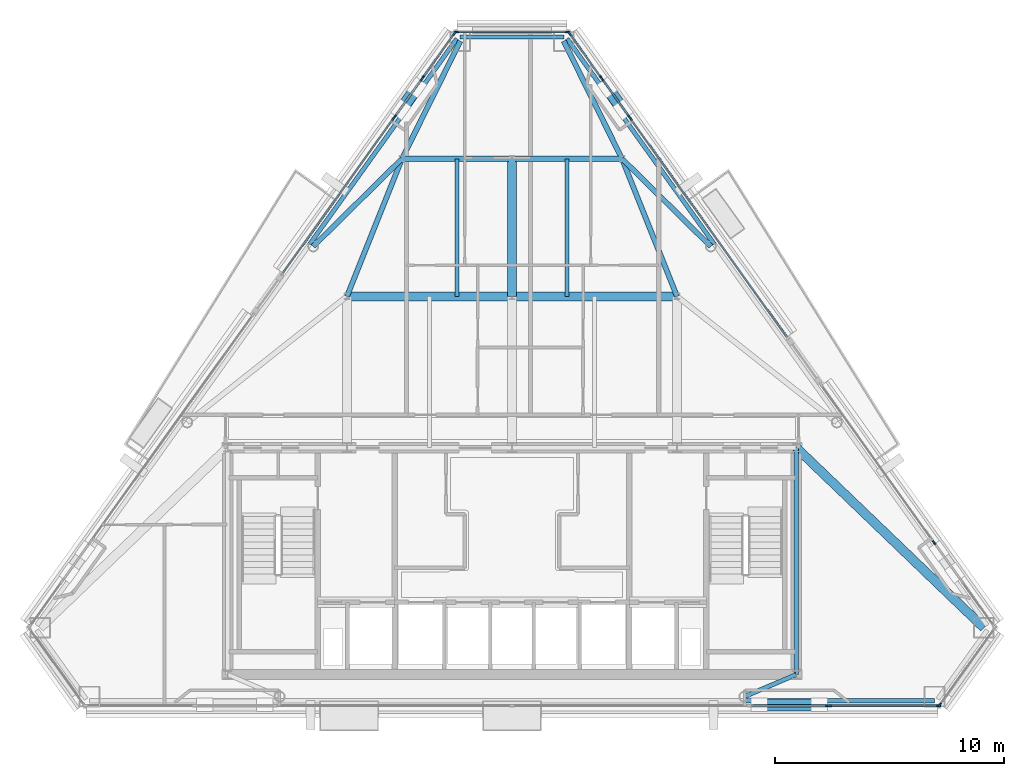
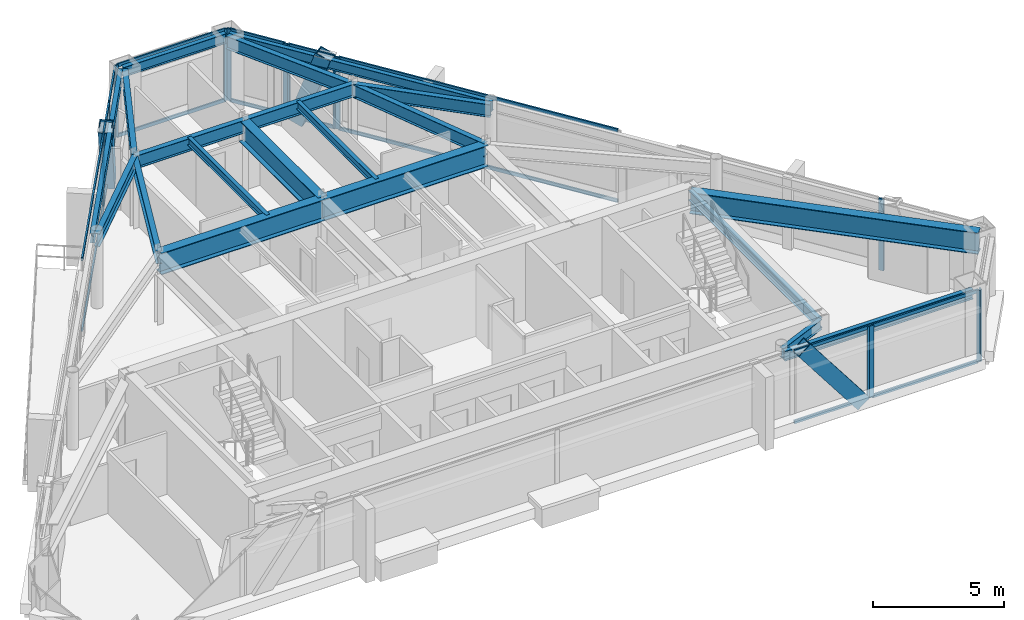
# One storey, part 5 of 12: 38 members, 20 beams, 11 elements without a shape of their own.
"""IFC4 building model written with IfcOpenShell, lengths in metres."""

import ifcopenshell
import ifcopenshell.guid

model = None  # the IFC model being written
_history = None  # IfcOwnerHistory: only IFC2X3 demands one
_inside = {}  # id of a spatial element -> (the spatial element, [elements in it])
_under = {}  # id of a project, library or spatial element -> (it, [spatial elements below it])
_declared = {}  # id of a project -> (the project, [libraries it declares])
_typed = {}  # id of a type object -> (the type object, [elements of that type])
_made_of = {}  # id of a material, layer set ... -> (it, [elements and type objects made of it])


def new_model(schema):
    """Start an empty IFC model of exactly this schema.

    Asked for "IFC4X3", IfcOpenShell would pick the latest addendum, in which some entities
    have other attributes; the version numbers below select the first issue.
    IFC2X3 requires an IfcOwnerHistory on every rooted entity: one is made here for all.
    """
    global model, _history
    if schema == "IFC4X3":
        model = ifcopenshell.file(schema_version=(4, 3, 0, 0))
    else:
        model = ifcopenshell.file(schema=schema)
    _inside.clear()
    _under.clear()
    _declared.clear()
    _typed.clear()
    _made_of.clear()
    _history = None
    if model.schema == "IFC2X3":
        org = make("IfcOrganization", Name="unknown")
        user = make(
            "IfcPersonAndOrganization",
            ThePerson=make("IfcPerson", FamilyName="unknown"),
            TheOrganization=org,
        )
        app = make(
            "IfcApplication",
            ApplicationDeveloper=org,
            Version="unknown",
            ApplicationFullName="unknown",
            ApplicationIdentifier="unknown",
        )
        _history = make(
            "IfcOwnerHistory",
            OwningUser=user,
            OwningApplication=app,
            ChangeAction="ADDED",
            CreationDate=0,
        )
    return model


def make(cls, **values):
    """One entity of the class cls with the attributes given. An attribute that is None is left unset."""
    return model.create_entity(
        cls, **{name: value for name, value in values.items() if value is not None}
    )


def rooted(cls, **values):
    """An entity with a GlobalId (a new one), such as an element, a storey or a relation."""
    return make(cls, GlobalId=ifcopenshell.guid.new(), OwnerHistory=_history, **values)


def si_unit(unit_type, name, prefix=None):
    """IfcSIUnit, for example si_unit("LENGTHUNIT", "METRE", prefix="MILLI")."""
    return make("IfcSIUnit", UnitType=unit_type, Prefix=prefix, Name=name)


def assignment(units):
    """IfcUnitAssignment: the units of a project."""
    return None if units is None else make("IfcUnitAssignment", Units=units)


def point(xyz):
    """IfcCartesianPoint."""
    return None if xyz is None else make("IfcCartesianPoint", Coordinates=xyz)


def direction(xyz):
    """IfcDirection."""
    return None if xyz is None else make("IfcDirection", DirectionRatios=xyz)


def frame(location, z_axis=None, x_axis=None):
    """IfcAxis2Placement3D, a coordinate frame: its origin and axes. An axis left out is left unset."""
    return make(
        "IfcAxis2Placement3D",
        Location=point(location),
        Axis=direction(z_axis),
        RefDirection=direction(x_axis),
    )


def frame_2d(location, x_axis=None):
    """IfcAxis2Placement2D, a coordinate frame in the plane: its origin and x axis."""
    return make(
        "IfcAxis2Placement2D", Location=point(location), RefDirection=direction(x_axis)
    )


def origin():
    """The frame at (0, 0, 0) with its axes left unset."""
    return frame((0.0, 0.0, 0.0))


def origin_2d():
    """The frame at (0, 0) in the plane with its x axis left unset."""
    return frame_2d((0.0, 0.0))


def place(relative_to, where):
    """IfcLocalPlacement: puts the frame where relative to a parent placement (None: the world)."""
    return make(
        "IfcLocalPlacement", PlacementRelTo=relative_to, RelativePlacement=where
    )


def context(
    kind, dimensions, precision=None, world=None, true_north=None, identifier=None
):
    """IfcGeometricRepresentationContext, for example the 3D "Model" context."""
    return make(
        "IfcGeometricRepresentationContext",
        ContextIdentifier=identifier,
        ContextType=kind,
        CoordinateSpaceDimension=dimensions,
        Precision=precision,
        WorldCoordinateSystem=world,
        TrueNorth=true_north,
    )


def subcontext(parent, identifier, kind, view, scale=None):
    """IfcGeometricRepresentationSubContext, for example "Body" below "Model"."""
    return make(
        "IfcGeometricRepresentationSubContext",
        ContextIdentifier=identifier,
        ContextType=kind,
        ParentContext=parent,
        TargetScale=scale,
        TargetView=view,
    )


def project(units=None, contexts=None):
    """IfcProject with its units and contexts."""
    return rooted(
        "IfcProject",
        Name="project",
        RepresentationContexts=contexts,
        UnitsInContext=assignment(units),
    )


def spatial(cls, under=None, at=None, **own):
    """A site, building, storey or space (cls), placed at a placement, below another one or the project."""
    s = rooted(cls, ObjectPlacement=at, **own)
    if under is not None:
        _under.setdefault(under.id(), (under, []))[1].append(s)
    return s


def profile(cls, at=None, kind="AREA", **sizes):
    """A parametric profile (cls). Its sizes go by their IFC names, for example OverallWidth=200.0."""
    return make(cls, ProfileType=kind, Position=at, **sizes)


def rectangle(**sizes):
    """IfcRectangleProfileDef."""
    return profile("IfcRectangleProfileDef", **sizes)


def hollow_rectangle(**sizes):
    """IfcRectangleHollowProfileDef."""
    return profile("IfcRectangleHollowProfileDef", **sizes)


def i_section(**sizes):
    """IfcIShapeProfileDef."""
    return profile("IfcIShapeProfileDef", **sizes)


def extrude(swept, where, along, depth):
    """IfcExtrudedAreaSolid: the profile swept, set in the frame where, extruded along a direction by depth."""
    return make(
        "IfcExtrudedAreaSolid",
        SweptArea=swept,
        Position=where,
        ExtrudedDirection=direction(along),
        Depth=depth,
    )


def shape(context_of_items, identifier, shape_type, items):
    """IfcShapeRepresentation: the items that make up one representation, for example the "Body"."""
    return make(
        "IfcShapeRepresentation",
        ContextOfItems=context_of_items,
        RepresentationIdentifier=identifier,
        RepresentationType=shape_type,
        Items=items,
    )


def material(Name=None, Category=None):
    """IfcMaterial."""
    return make("IfcMaterial", Name=Name, Category=Category)


def layer(
    of_material, thickness, ventilated=None, Name=None, Category=None, Priority=None
):
    """IfcMaterialLayer: one layer of a wall or slab, of a material (None: an air gap)."""
    return make(
        "IfcMaterialLayer",
        Material=of_material,
        LayerThickness=thickness,
        IsVentilated=ventilated,
        Name=Name,
        Category=Category,
        Priority=Priority,
    )


def layer_set(layers, Name=None):
    """IfcMaterialLayerSet."""
    return make("IfcMaterialLayerSet", MaterialLayers=layers, LayerSetName=Name)


def material_profile(
    of_material, cross_section, Name=None, Category=None, Priority=None
):
    """IfcMaterialProfile: a cross section and its material."""
    return make(
        "IfcMaterialProfile",
        Name=Name,
        Material=of_material,
        Profile=cross_section,
        Priority=Priority,
        Category=Category,
    )


def profile_set(profiles, Name=None, composite=None):
    """IfcMaterialProfileSet."""
    return make(
        "IfcMaterialProfileSet",
        Name=Name,
        MaterialProfiles=profiles,
        CompositeProfile=composite,
    )


def made_of(thing, what):
    """Note that an element or type object is made of a material, layer set ...; save() writes the relation."""
    if what is not None:
        _made_of.setdefault(what.id(), (what, []))[1].append(thing)
    return thing


def type_object(cls, material=None, **own):
    """A type object (cls), such as IfcWallType, which elements share."""
    return made_of(rooted(cls, **own), material)


def element(
    cls,
    number,
    at=None,
    inside=None,
    cuts=None,
    type_object=None,
    material=None,
    context=None,
    identifier="Body",
    shape_type=None,
    held_by="IfcProductDefinitionShape",
    body=None,
    shapes=None,
    **own,
):
    """One element of the class cls, such as IfcWall. Its Tag is "e" and its number.

    at: its placement. inside: the storey or other place that contains it. cuts: it is an
    opening in that element (IfcRelVoidsElement). A single representation is given by context,
    identifier, shape_type and body (its items); several are given by shapes. held_by: the class
    of the entity that holds the representations. save() writes the other relations.
    """
    e = rooted(cls, Tag="e%d" % number, ObjectPlacement=at, **own)
    if body is not None:
        shapes = [shape(context, identifier, shape_type, body)]
    if shapes is not None:
        e.Representation = make(held_by, Representations=shapes)
    if inside is not None:
        _inside.setdefault(inside.id(), (inside, []))[1].append(e)
    if cuts is not None:
        rooted(
            "IfcRelVoidsElement", RelatingBuildingElement=cuts, RelatedOpeningElement=e
        )
    if type_object is not None:
        _typed.setdefault(type_object.id(), (type_object, []))[1].append(e)
    return made_of(e, material)


def aggregate(whole, parts):
    """IfcRelAggregates: a whole, such as a stair, and the parts it consists of."""
    return rooted("IfcRelAggregates", RelatingObject=whole, RelatedObjects=parts)


def save(model, path):
    """Write the relations noted so far, then the file.

    IfcRelAggregates (storeys below a building ...), IfcRelContainedInSpatialStructure (elements
    in a storey), IfcRelDefinesByType, IfcRelAssociatesMaterial and IfcRelDeclares: one each for
    every whole, place, type object, material and project.
    """
    for whole, parts in _under.values():
        aggregate(whole, parts)
    for where, things in _inside.values():
        rooted(
            "IfcRelContainedInSpatialStructure",
            RelatedElements=things,
            RelatingStructure=where,
        )
    for kind, things in _typed.values():
        rooted("IfcRelDefinesByType", RelatedObjects=things, RelatingType=kind)
    for what, things in _made_of.values():
        rooted("IfcRelAssociatesMaterial", RelatedObjects=things, RelatingMaterial=what)
    for by, libraries in _declared.values():
        rooted("IfcRelDeclares", RelatingContext=by, RelatedDefinitions=libraries)
    model.write(path)


model = new_model("IFC4")

# Units and contexts
model_context = context("Model", 3, precision=1e-05, world=origin(), true_north=direction((0.0, 1.0)))
body_context = subcontext(model_context, "Body", "Model", "MODEL_VIEW")
ifc_project = project(units=[si_unit("LENGTHUNIT", "METRE"), si_unit("AREAUNIT", "SQUARE_METRE"), si_unit("VOLUMEUNIT", "CUBIC_METRE"), si_unit("PLANEANGLEUNIT", "RADIAN"), si_unit("MASSUNIT", "GRAM", prefix="KILO")], contexts=[model_context])

# Site, building, storey
site_placement = place(None, origin())
site = spatial("IfcSite", under=ifc_project, at=site_placement, CompositionType="ELEMENT")
building_placement = place(site_placement, origin())
building = spatial("IfcBuilding", under=site, at=building_placement, Name="Talgorran Terracotta Tower", CompositionType="ELEMENT")
storey_placement = place(building_placement, frame((0.0, 0.0, 249.0)))
storey = spatial("IfcBuildingStorey", under=building, at=storey_placement, Name="L65", CompositionType="ELEMENT", Elevation=249.0)

# Beams
ifc_material_1 = material(Name="Steel Grade 350 (350L0)", Category="steel")
ifc_material_profile_1 = material_profile(ifc_material_1, i_section(OverallWidth=0.39990234375, OverallDepth=1.0, WebThickness=0.01611328125, FlangeThickness=0.031005859375, at=origin_2d()), Name="1000WB296")
ifc_profile_set_1 = profile_set([ifc_material_profile_1], Name="Steel Grade 350 (350L0)")
beam_type_1 = type_object("IfcBeamType", Name="BM_1000WB296", PredefinedType="BEAM", material=ifc_profile_set_1)
for number, where, z_axis, x_axis, name in (
    (1, (-7.199951171875, 2.39990234375, 2.844970703125), (1.0, 0.0, 0.0), (0.0, 1.0, 0.0), "L65 Floor Girder G04"),
    (2, (0.0, 2.39990234375, 2.844970703125), (1.0, 0.0, 0.0), (0.0, 1.0, 0.0), "L65 Floor Girder G05"),
):
    element("IfcBeam", number, at=place(storey_placement, frame(where, z_axis=z_axis, x_axis=x_axis)), inside=storey, type_object=beam_type_1, Name=name, PredefinedType="BEAM", context=body_context, shape_type="SweptSolid", body=[
        extrude(i_section(OverallWidth=0.39990234375, OverallDepth=1.0, WebThickness=0.01611328125, FlangeThickness=0.031005859375, at=origin_2d()), origin(), (0.0, 0.0, 1.0), 7.199951171875),
    ])
beam_1_placement = place(storey_placement, frame((0.0, 2.39990234375, 2.844970703125), z_axis=(0.0, 1.0, 0.0), x_axis=(-1.0, 0.0, 0.0)))
element("IfcBeam", 3, at=beam_1_placement, inside=storey, type_object=beam_type_1, Name="L65 Floor Girder G09", PredefinedType="BEAM", context=body_context, shape_type="SweptSolid", body=[
    extrude(i_section(OverallWidth=0.39990234375, OverallDepth=1.0, WebThickness=0.01611328125, FlangeThickness=0.031005859375, at=origin_2d()), origin(), (0.0, 0.0, 1.0), 6.0),
])
beam_2_placement = place(storey_placement, frame((12.39990234375, -4.199951171875, 2.844970703125), z_axis=(0.721440209588, -0.692476731731, 0.0), x_axis=(0.692476731731, 0.721440209588, 0.0)))
element("IfcBeam", 4, at=beam_2_placement, inside=storey, type_object=beam_type_1, Name="L65 Floor Girder G18", PredefinedType="BEAM", context=body_context, shape_type="SweptSolid", body=[
    extrude(i_section(OverallWidth=0.39990234375, OverallDepth=1.0, WebThickness=0.01611328125, FlangeThickness=0.031005859375, at=origin_2d()), origin(), (0.0, 0.0, 1.0), 11.345703125),
])
ifc_material_2 = material(Name="Steel S355 (300PLUS)", Category="steel")
ifc_material_profile_2 = material_profile(ifc_material_2, i_section(OverallWidth=0.22802734375, OverallDepth=0.60205078125, WebThickness=0.010498046875, FlangeThickness=0.014892578125, at=origin_2d()), Name="610UB101")
ifc_profile_set_2 = profile_set([ifc_material_profile_2], Name="Steel S355 (300PLUS)")
beam_type_2 = type_object("IfcBeamType", Name="BM_610UB101", PredefinedType="BEAM", material=ifc_profile_set_2)
for number, where, z_axis, x_axis, name in (
    (5, (-7.199951171875, 2.39990234375, 3.0439453125), (0.371377648723, 0.928481901832, 0.0), (-0.928481901832, 0.371377648723, 0.0), "L65 Floor Girder G08"),
    (6, (7.199951171875, 2.39990234375, 3.0439453125), (-0.371377648723, 0.928481901832, 0.0), (-0.928481901832, -0.371377648723, 0.0), "L65 Floor Girder G10"),
):
    element("IfcBeam", number, at=place(storey_placement, frame(where, z_axis=z_axis, x_axis=x_axis)), inside=storey, type_object=beam_type_2, Name=name, PredefinedType="BEAM", context=body_context, shape_type="SweptSolid", body=[
        extrude(i_section(OverallWidth=0.22802734375, OverallDepth=0.60205078125, WebThickness=0.010498046875, FlangeThickness=0.014892578125, at=origin_2d()), origin(), (0.0, 0.0, 1.0), 6.462158203125),
    ])
for number, where, z_axis, x_axis, name in (
    (7, (-4.800048828125, 8.39990234375, 3.0439453125), (1.0, 0.0, 0.0), (0.0, 1.0, 0.0), "L65 Floor Girder G11"),
    (8, (0.0, 8.39990234375, 3.0439453125), (1.0, 0.0, 0.0), (0.0, 1.0, 0.0), "L65 Floor Girder G12"),
):
    element("IfcBeam", number, at=place(storey_placement, frame(where, z_axis=z_axis, x_axis=x_axis)), inside=storey, type_object=beam_type_2, Name=name, PredefinedType="BEAM", context=body_context, shape_type="SweptSolid", body=[
        extrude(i_section(OverallWidth=0.22802734375, OverallDepth=0.60205078125, WebThickness=0.010498046875, FlangeThickness=0.014892578125, at=origin_2d()), origin(), (0.0, 0.0, 1.0), 4.800048828125),
    ])
for number, where, z_axis, x_axis, name in (
    (9, (-4.800048828125, 8.39990234375, 3.0439453125), (-0.711847800696, -0.702333758725, 0.0), (0.702333758725, -0.711847800696, 0.0), "L65 Floor Girder G13"),
    (10, (4.800048828125, 8.39990234375, 3.0439453125), (0.711847800696, -0.702333758725, 0.0), (0.702333758725, 0.711847800696, 0.0), "L65 Floor Girder G14"),
):
    element("IfcBeam", number, at=place(storey_placement, frame(where, z_axis=z_axis, x_axis=x_axis)), inside=storey, type_object=beam_type_2, Name=name, PredefinedType="BEAM", context=body_context, shape_type="SweptSolid", body=[
        extrude(i_section(OverallWidth=0.22802734375, OverallDepth=0.60205078125, WebThickness=0.010498046875, FlangeThickness=0.014892578125, at=origin_2d()), origin(), (0.0, 0.0, 1.0), 5.440185546875),
    ])
for number, where, z_axis, x_axis, name in (
    (11, (-4.800048828125, 8.39990234375, 3.0439453125), (0.443529350633, 0.896259847994, 0.0), (-0.896259847994, 0.443529350633, 0.0), "L65 Floor Girder G15"),
    (12, (4.800048828125, 8.39990234375, 3.0439453125), (-0.443529350633, 0.896259847994, 0.0), (-0.896259847994, -0.443529350633, 0.0), "L65 Floor Girder G16"),
):
    element("IfcBeam", number, at=place(storey_placement, frame(where, z_axis=z_axis, x_axis=x_axis)), inside=storey, type_object=beam_type_2, Name=name, PredefinedType="BEAM", context=body_context, shape_type="SweptSolid", body=[
        extrude(i_section(OverallWidth=0.22802734375, OverallDepth=0.60205078125, WebThickness=0.010498046875, FlangeThickness=0.014892578125, at=origin_2d()), origin(), (0.0, 0.0, 1.0), 5.731201171875),
    ])
ifc_material_profile_3 = material_profile(ifc_material_2, i_section(OverallWidth=0.17138671875, OverallDepth=0.355712890625, WebThickness=0.00732421875, FlangeThickness=0.011474609375, at=origin_2d()), Name="360UB50.7")
ifc_profile_set_3 = profile_set([ifc_material_profile_3], Name="Steel S355 (300PLUS)")
beam_type_3 = type_object("IfcBeamType", Name="BM_JS_360UB51", PredefinedType="JOIST", material=ifc_profile_set_3)
for number, where, z_axis, x_axis, name in (
    (13, (-2.39990234375, 2.39990234375, 3.167236328125), (0.0, 1.0, 0.0), (-1.0, 0.0, 0.0), "L65 Secondary Joist J03"),
    (14, (2.39990234375, 2.39990234375, 3.167236328125), (0.0, 1.0, 0.0), (-1.0, 0.0, 0.0), "L65 Secondary Joist J04"),
):
    element("IfcBeam", number, at=place(storey_placement, frame(where, z_axis=z_axis, x_axis=x_axis)), inside=storey, type_object=beam_type_3, Name=name, PredefinedType="JOIST", context=body_context, shape_type="SweptSolid", body=[
        extrude(i_section(OverallWidth=0.17138671875, OverallDepth=0.355712890625, WebThickness=0.00732421875, FlangeThickness=0.011474609375, at=origin_2d()), origin(), (0.0, 0.0, 1.0), 6.0),
    ])
ifc_material_profile_4 = material_profile(ifc_material_2, i_section(OverallWidth=0.18994140625, OverallDepth=0.45703125, WebThickness=0.009033203125, FlangeThickness=0.014404296875, at=origin_2d()), Name="460UB74.6")
ifc_profile_set_4 = profile_set([ifc_material_profile_4], Name="Steel S355 (300PLUS)")
beam_type_4 = type_object("IfcBeamType", Name="BM_SP_460UB74", PredefinedType="SPANDREL", material=ifc_profile_set_4)
beam_3_placement = place(storey_placement, frame((10.1376953125, -15.243408203125, 3.116455078125), z_axis=(1.0, 0.0, 0.0), x_axis=(0.0, 1.0, 0.0)))
element("IfcBeam", 15, at=beam_3_placement, inside=storey, type_object=beam_type_4, Name="L65 Perimeter Spandrel Beam FC2-MC3", PredefinedType="SPANDREL", context=body_context, shape_type="SweptSolid", body=[
    extrude(i_section(OverallWidth=0.18994140625, OverallDepth=0.45703125, WebThickness=0.009033203125, FlangeThickness=0.014404296875, at=origin_2d()), origin(), (0.0, 0.0, 1.0), 8.29443359375),
])
beam_4_placement = place(storey_placement, frame((8.81884765625, 4.683837890625, 3.116455078125), z_axis=(-0.58220828918, 0.813039671855, 0.0), x_axis=(-0.813039671855, -0.58220828918, 0.0)))
element("IfcBeam", 16, at=beam_4_placement, inside=storey, type_object=beam_type_4, Name="L65 Perimeter Spandrel Beam FC4-MC5", PredefinedType="SPANDREL", context=body_context, shape_type="SweptSolid", body=[
    extrude(i_section(OverallWidth=0.18994140625, OverallDepth=0.45703125, WebThickness=0.009033203125, FlangeThickness=0.014404296875, at=origin_2d()), origin(), (0.0, 0.0, 1.0), 11.017578125),
])
beam_5_placement = place(storey_placement, frame((2.258056640625, 13.716796875, 3.116455078125), z_axis=(-1.0, 0.0, 0.0), x_axis=(0.0, -1.0, 0.0)))
element("IfcBeam", 17, at=beam_5_placement, inside=storey, type_object=beam_type_4, Name="L65 Perimeter Spandrel Beam MC5-MC6", PredefinedType="SPANDREL", context=body_context, shape_type="SweptSolid", body=[
    extrude(i_section(OverallWidth=0.18994140625, OverallDepth=0.45703125, WebThickness=0.009033203125, FlangeThickness=0.014404296875, at=origin_2d()), origin(), (0.0, 0.0, 1.0), 4.51611328125),
])
beam_6_placement = place(storey_placement, frame((-2.404296875, 13.6416015625, 3.116455078125), z_axis=(-0.58220828918, -0.813039671855, 0.0), x_axis=(0.813039671855, -0.58220828918, 0.0)))
element("IfcBeam", 18, at=beam_6_placement, inside=storey, type_object=beam_type_4, Name="L65 Perimeter Spandrel Beam MC6-FC5", PredefinedType="SPANDREL", context=body_context, shape_type="SweptSolid", body=[
    extrude(i_section(OverallWidth=0.18994140625, OverallDepth=0.45703125, WebThickness=0.009033203125, FlangeThickness=0.014404296875, at=origin_2d()), origin(), (0.0, 0.0, 1.0), 11.017578125),
])
beam_7_placement = place(storey_placement, frame((12.39990234375, -14.10009765625, 3.116455078125), z_axis=(-0.920082307349, -0.391725092002, 0.0), x_axis=(0.391725092002, -0.920082307349, 0.0)))
element("IfcBeam", 19, at=beam_7_placement, inside=storey, type_object=beam_type_4, Name="L65 South-East Core Tie Beam", PredefinedType="SPANDREL", context=body_context, shape_type="SweptSolid", body=[
    extrude(i_section(OverallWidth=0.18994140625, OverallDepth=0.45703125, WebThickness=0.009033203125, FlangeThickness=0.014404296875, at=origin_2d()), origin(), (0.0, 0.0, 1.0), 2.458740234375),
])
beam_8_placement = place(storey_placement, frame((12.39990234375, -14.10009765625, 3.116455078125), z_axis=(0.0, 1.0, 0.0), x_axis=(-1.0, 0.0, 0.0)))
element("IfcBeam", 20, at=beam_8_placement, inside=storey, type_object=beam_type_4, Name="L65 Core Frame Beam CFE", PredefinedType="SPANDREL", context=body_context, shape_type="SweptSolid", body=[
    extrude(i_section(OverallWidth=0.18994140625, OverallDepth=0.45703125, WebThickness=0.009033203125, FlangeThickness=0.014404296875, at=origin_2d()), origin(), (0.0, 0.0, 1.0), 9.900146484375),
])

# Members
ifc_material_profile_5 = material_profile(ifc_material_1, hollow_rectangle(XDim=0.52001953125, YDim=0.659912109375, WallThickness=0.034912109375, at=origin_2d()), Name="WBOX660X520X35")
ifc_profile_set_5 = profile_set([ifc_material_profile_5], Name="Steel Grade 350 (350L0)")
member_type_1 = type_object("IfcMemberType", Name="MB_MEGA_660", PredefinedType="BRACE", material=ifc_profile_set_5)
member_1_placement = place(storey_placement, frame((13.404296875, -15.42333984375, -0.02490234375), z_axis=(-0.608960696273, 0.0, 0.793200397374), x_axis=(0.0, -1.0, 0.0)))
element("IfcMember", 21, at=member_1_placement, inside=storey, type_object=member_type_1, Name="L65 Exterior Face Mega-Brace MB-3 (SEF)", PredefinedType="BRACE", context=body_context, shape_type="SweptSolid", body=[
    extrude(hollow_rectangle(XDim=0.52001953125, YDim=0.659912109375, WallThickness=0.034912109375, at=origin_2d()), origin(), (0.0, 0.0, 1.0), 4.2802734375),
])
for number, where, z_axis, x_axis, name in (
    (22, (4.15283203125, 11.509033203125, -0.02490234375), (0.191323600613, -0.267187449347, 0.944460770366), (0.8130486546, 0.582195744791, 0.0), "L65 Exterior Face Mega-Brace MB-3 (NEU)"),
    (23, (-4.15283203125, 11.509033203125, -0.02490234375), (-0.191323600613, -0.267187449347, 0.944460770366), (0.8130486546, -0.582195744791, 0.0), "L65 Exterior Face Mega-Brace MB-3 (NWU)"),
):
    element("IfcMember", number, at=place(storey_placement, frame(where, z_axis=z_axis, x_axis=x_axis)), inside=storey, type_object=member_type_1, Name=name, PredefinedType="BRACE", context=body_context, shape_type="SweptSolid", body=[
        extrude(hollow_rectangle(XDim=0.52001953125, YDim=0.659912109375, WallThickness=0.034912109375, at=origin_2d()), origin(), (0.0, 0.0, 1.0), 3.5947265625),
    ])

# Curtain wall, member
ifc_material_3 = material(Name="High-Wind Unitised Glazing", Category="glass")
ifc_layer = layer(ifc_material_3, 0.2099609375, Name="CW_SYS3_RES_HIGH")
ifc_layer_set = layer_set([ifc_layer], Name="High-Wind Unitised Glazing")
curtain_wall_type = type_object("IfcCurtainWallType", Name="CW_SYS3_RES_HIGH", PredefinedType="NOTDEFINED", material=ifc_layer_set)
curtain_wall_1_placement = place(storey_placement, origin())
curtain_wall_1 = element("IfcCurtainWall", 24, at=curtain_wall_1_placement, inside=storey, type_object=curtain_wall_type, Name="CW-L65-F1D", PredefinedType="NOTDEFINED")
ifc_material_4 = material(Name="Architectural Aluminium 6063-T6", Category="aluminium")
ifc_material_profile_6 = material_profile(ifc_material_4, rectangle(XDim=0.070068359375, YDim=0.199951171875, at=origin_2d()), Name="CWM70X200")
ifc_profile_set_6 = profile_set([ifc_material_profile_6], Name="Architectural Aluminium 6063-T6")
member_type_2 = type_object("IfcMemberType", Name="MUL_70X200", PredefinedType="MULLION", material=ifc_profile_set_6)
member_2_placement = place(storey_placement, frame((13.776123046875, -15.46337890625, 0.0), z_axis=(0.0, 0.0, 1.0), x_axis=(0.0, 1.0, 0.0)))
member_2 = element("IfcMember", 25, at=member_2_placement, type_object=member_type_2, Name="CW-L65-1D mullion 2", PredefinedType="MULLION", context=body_context, shape_type="SweptSolid", body=[
    extrude(rectangle(XDim=0.070068359375, YDim=0.199951171875, at=origin_2d()), origin(), (0.0, 0.0, 1.0), 3.344970703125),
])

# Curtain wall, members
curtain_wall_2_placement = place(storey_placement, origin())
curtain_wall_2 = element("IfcCurtainWall", 26, at=curtain_wall_2_placement, inside=storey, type_object=curtain_wall_type, Name="CW-L65-F1E", PredefinedType="NOTDEFINED")
member_3_placement = place(storey_placement, frame((13.856201171875, -15.46337890625, 0.0), z_axis=(0.0, 0.0, 1.0), x_axis=(0.0, 1.0, 0.0)))
member_3 = element("IfcMember", 27, at=member_3_placement, type_object=member_type_2, Name="CW-L65-1E mullion 1", PredefinedType="MULLION", context=body_context, shape_type="SweptSolid", body=[
    extrude(rectangle(XDim=0.070068359375, YDim=0.199951171875, at=origin_2d()), origin(), (0.0, 0.0, 1.0), 3.344970703125),
])
member_4_placement = place(storey_placement, frame((18.6025390625, -15.46337890625, 0.0), z_axis=(0.0, 0.0, 1.0), x_axis=(0.0, 1.0, 0.0)))
member_4 = element("IfcMember", 28, at=member_4_placement, type_object=member_type_2, Name="CW-L65-1E mullion 2", PredefinedType="MULLION", context=body_context, shape_type="SweptSolid", body=[
    extrude(rectangle(XDim=0.070068359375, YDim=0.199951171875, at=origin_2d()), origin(), (0.0, 0.0, 1.0), 3.344970703125),
])

# Curtain wall, member
curtain_wall_3_placement = place(storey_placement, origin())
curtain_wall_3 = element("IfcCurtainWall", 29, at=curtain_wall_3_placement, inside=storey, type_object=curtain_wall_type, Name="CW-L65-F2", PredefinedType="NOTDEFINED")
member_5_placement = place(storey_placement, frame((18.657958984375, -15.434814453125, 0.0), z_axis=(0.0, 0.0, 1.0), x_axis=(-0.813031401137, 0.582219838862, 0.0)))
member_5 = element("IfcMember", 30, at=member_5_placement, type_object=member_type_2, Name="CW-L65-2 mullion 1", PredefinedType="MULLION", context=body_context, shape_type="SweptSolid", body=[
    extrude(rectangle(XDim=0.070068359375, YDim=0.199951171875, at=origin_2d()), origin(), (0.0, 0.0, 1.0), 3.344970703125),
])
aggregate(curtain_wall_3, [member_5])

curtain_wall_4_placement = place(storey_placement, origin())
curtain_wall_4 = element("IfcCurtainWall", 31, at=curtain_wall_4_placement, inside=storey, type_object=curtain_wall_type, Name="CW-L65-F40B", PredefinedType="NOTDEFINED")
member_6_placement = place(storey_placement, frame((18.41748046875, -8.342529296875, 0.0), z_axis=(0.0, 0.0, 1.0), x_axis=(-0.813045764946, -0.582199780234, 0.0)))
member_6 = element("IfcMember", 32, at=member_6_placement, type_object=member_type_2, Name="CW-L65-40B mullion 2", PredefinedType="MULLION", context=body_context, shape_type="SweptSolid", body=[
    extrude(rectangle(XDim=0.070068359375, YDim=0.199951171875, at=origin_2d()), origin(), (0.0, 0.0, 1.0), 3.344970703125),
])
aggregate(curtain_wall_4, [member_6])

curtain_wall_5_placement = place(storey_placement, origin())
curtain_wall_5 = element("IfcCurtainWall", 33, at=curtain_wall_5_placement, inside=storey, type_object=curtain_wall_type, Name="CW-L65-F41", PredefinedType="NOTDEFINED")
member_7_placement = place(storey_placement, frame((5.1650390625, 10.1640625, 0.0), z_axis=(0.0, 0.0, 1.0), x_axis=(-0.813042343153, -0.582204558759, 0.0)))
member_7 = element("IfcMember", 34, at=member_7_placement, type_object=member_type_2, Name="CW-L65-41 mullion 2", PredefinedType="MULLION", context=body_context, shape_type="SweptSolid", body=[
    extrude(rectangle(XDim=0.070068359375, YDim=0.199951171875, at=origin_2d()), origin(), (0.0, 0.0, 1.0), 3.344970703125),
])

# Curtain wall, members
curtain_wall_6_placement = place(storey_placement, origin())
curtain_wall_6 = element("IfcCurtainWall", 35, at=curtain_wall_6_placement, inside=storey, type_object=curtain_wall_type, Name="CW-L65-F41B", PredefinedType="NOTDEFINED")
member_8_placement = place(storey_placement, frame((5.118408203125, 10.229248046875, 0.0), z_axis=(0.0, 0.0, 1.0), x_axis=(-0.813045764946, -0.582199780234, 0.0)))
member_8 = element("IfcMember", 36, at=member_8_placement, type_object=member_type_2, Name="CW-L65-41B mullion 1", PredefinedType="MULLION", context=body_context, shape_type="SweptSolid", body=[
    extrude(rectangle(XDim=0.070068359375, YDim=0.199951171875, at=origin_2d()), origin(), (0.0, 0.0, 1.0), 3.344970703125),
])
member_9_placement = place(storey_placement, frame((3.93994140625, 11.875244140625, 0.0), z_axis=(0.0, 0.0, 1.0), x_axis=(-0.813045764946, -0.582199780234, 0.0)))
member_9 = element("IfcMember", 37, at=member_9_placement, type_object=member_type_2, Name="CW-L65-41B mullion 2", PredefinedType="MULLION", context=body_context, shape_type="SweptSolid", body=[
    extrude(rectangle(XDim=0.070068359375, YDim=0.199951171875, at=origin_2d()), origin(), (0.0, 0.0, 1.0), 3.344970703125),
])

curtain_wall_7_placement = place(storey_placement, origin())
curtain_wall_7 = element("IfcCurtainWall", 38, at=curtain_wall_7_placement, inside=storey, type_object=curtain_wall_type, Name="CW-L65-F41C", PredefinedType="NOTDEFINED")
member_10_placement = place(storey_placement, frame((3.893310546875, 11.940185546875, 0.0), z_axis=(0.0, 0.0, 1.0), x_axis=(-0.813040862647, -0.582206626265, 0.0)))
member_10 = element("IfcMember", 39, at=member_10_placement, type_object=member_type_2, Name="CW-L65-41C mullion 1", PredefinedType="MULLION", context=body_context, shape_type="SweptSolid", body=[
    extrude(rectangle(XDim=0.070068359375, YDim=0.199951171875, at=origin_2d()), origin(), (0.0, 0.0, 1.0), 3.344970703125),
])
member_11_placement = place(storey_placement, frame((2.50732421875, 13.875732421875, 0.0), z_axis=(0.0, 0.0, 1.0), x_axis=(-0.813040862647, -0.582206626265, 0.0)))
member_11 = element("IfcMember", 40, at=member_11_placement, type_object=member_type_2, Name="CW-L65-41C mullion 2", PredefinedType="MULLION", context=body_context, shape_type="SweptSolid", body=[
    extrude(rectangle(XDim=0.070068359375, YDim=0.199951171875, at=origin_2d()), origin(), (0.0, 0.0, 1.0), 3.344970703125),
])

curtain_wall_8_placement = place(storey_placement, origin())
curtain_wall_8 = element("IfcCurtainWall", 41, at=curtain_wall_8_placement, inside=storey, type_object=curtain_wall_type, Name="CW-L65-F4", PredefinedType="NOTDEFINED")
member_12_placement = place(storey_placement, frame((2.4287109375, 13.936767578125, 0.0), z_axis=(0.0, 0.0, 1.0), x_axis=(0.0, -1.0, 0.0)))
member_12 = element("IfcMember", 42, at=member_12_placement, type_object=member_type_2, Name="CW-L65-4 mullion 1", PredefinedType="MULLION", context=body_context, shape_type="SweptSolid", body=[
    extrude(rectangle(XDim=0.070068359375, YDim=0.199951171875, at=origin_2d()), origin(), (0.0, 0.0, 1.0), 3.344970703125),
])
member_13_placement = place(storey_placement, frame((-2.4287109375, 13.936767578125, 0.0), z_axis=(0.0, 0.0, 1.0), x_axis=(0.0, -1.0, 0.0)))
member_13 = element("IfcMember", 43, at=member_13_placement, type_object=member_type_2, Name="CW-L65-4 mullion 2", PredefinedType="MULLION", context=body_context, shape_type="SweptSolid", body=[
    extrude(rectangle(XDim=0.070068359375, YDim=0.199951171875, at=origin_2d()), origin(), (0.0, 0.0, 1.0), 3.344970703125),
])

curtain_wall_9_placement = place(storey_placement, origin())
curtain_wall_9 = element("IfcCurtainWall", 44, at=curtain_wall_9_placement, inside=storey, type_object=curtain_wall_type, Name="CW-L65-F60", PredefinedType="NOTDEFINED")
member_14_placement = place(storey_placement, frame((-2.50732421875, 13.875732421875, 0.0), z_axis=(0.0, 0.0, 1.0), x_axis=(0.813040862647, -0.582206626265, 0.0)))
member_14 = element("IfcMember", 45, at=member_14_placement, type_object=member_type_2, Name="CW-L65-60 mullion 1", PredefinedType="MULLION", context=body_context, shape_type="SweptSolid", body=[
    extrude(rectangle(XDim=0.070068359375, YDim=0.199951171875, at=origin_2d()), origin(), (0.0, 0.0, 1.0), 3.344970703125),
])
member_15_placement = place(storey_placement, frame((-3.893310546875, 11.940185546875, 0.0), z_axis=(0.0, 0.0, 1.0), x_axis=(0.813040862647, -0.582206626265, 0.0)))
member_15 = element("IfcMember", 46, at=member_15_placement, type_object=member_type_2, Name="CW-L65-60 mullion 2", PredefinedType="MULLION", context=body_context, shape_type="SweptSolid", body=[
    extrude(rectangle(XDim=0.070068359375, YDim=0.199951171875, at=origin_2d()), origin(), (0.0, 0.0, 1.0), 3.344970703125),
])

curtain_wall_10_placement = place(storey_placement, origin())
curtain_wall_10 = element("IfcCurtainWall", 47, at=curtain_wall_10_placement, inside=storey, type_object=curtain_wall_type, Name="CW-L65-F60B", PredefinedType="NOTDEFINED")
member_16_placement = place(storey_placement, frame((-3.93994140625, 11.875244140625, 0.0), z_axis=(0.0, 0.0, 1.0), x_axis=(0.813045764946, -0.582199780234, 0.0)))
member_16 = element("IfcMember", 48, at=member_16_placement, type_object=member_type_2, Name="CW-L65-60B mullion 1", PredefinedType="MULLION", context=body_context, shape_type="SweptSolid", body=[
    extrude(rectangle(XDim=0.070068359375, YDim=0.199951171875, at=origin_2d()), origin(), (0.0, 0.0, 1.0), 3.344970703125),
])
member_17_placement = place(storey_placement, frame((-5.118408203125, 10.229248046875, 0.0), z_axis=(0.0, 0.0, 1.0), x_axis=(0.813045764946, -0.582199780234, 0.0)))
member_17 = element("IfcMember", 49, at=member_17_placement, type_object=member_type_2, Name="CW-L65-60B mullion 2", PredefinedType="MULLION", context=body_context, shape_type="SweptSolid", body=[
    extrude(rectangle(XDim=0.070068359375, YDim=0.199951171875, at=origin_2d()), origin(), (0.0, 0.0, 1.0), 3.344970703125),
])

# Curtain wall, member
curtain_wall_11_placement = place(storey_placement, origin())
curtain_wall_11 = element("IfcCurtainWall", 50, at=curtain_wall_11_placement, inside=storey, type_object=curtain_wall_type, Name="CW-L65-F60C", PredefinedType="NOTDEFINED")
member_18_placement = place(storey_placement, frame((-5.1650390625, 10.1640625, 0.0), z_axis=(0.0, 0.0, 1.0), x_axis=(0.813040078388, -0.582207721467, 0.0)))
member_18 = element("IfcMember", 51, at=member_18_placement, type_object=member_type_2, Name="CW-L65-60C mullion 1", PredefinedType="MULLION", context=body_context, shape_type="SweptSolid", body=[
    extrude(rectangle(XDim=0.070068359375, YDim=0.199951171875, at=origin_2d()), origin(), (0.0, 0.0, 1.0), 3.344970703125),
])

# Member
ifc_material_profile_7 = material_profile(ifc_material_4, rectangle(XDim=0.070068359375, YDim=0.159912109375, at=origin_2d()), Name="CWT70X160")
ifc_profile_set_7 = profile_set([ifc_material_profile_7], Name="Architectural Aluminium 6063-T6")
member_type_3 = type_object("IfcMemberType", Name="TRN_70X160", PredefinedType="USERDEFINED", material=ifc_profile_set_7)
member_19_placement = place(storey_placement, frame((10.461181640625, -15.46337890625, 0.034912109375), z_axis=(1.0, 0.0, 0.0), x_axis=(0.0, 1.0, 0.0)))
member_19 = element("IfcMember", 52, at=member_19_placement, type_object=member_type_3, Name="CW-L65-1D transom 1.1", ObjectType="TRANSOM", PredefinedType="USERDEFINED", context=body_context, shape_type="SweptSolid", body=[
    extrude(rectangle(XDim=0.070068359375, YDim=0.159912109375, at=origin_2d()), origin(), (0.0, 0.0, 1.0), 3.280029296875),
])

member_20_placement = place(storey_placement, frame((10.461181640625, -15.46337890625, 3.31005859375), z_axis=(1.0, 0.0, 0.0), x_axis=(0.0, 1.0, 0.0)))
member_20 = element("IfcMember", 53, at=member_20_placement, type_object=member_type_3, Name="CW-L65-1D transom 1.2", ObjectType="TRANSOM", PredefinedType="USERDEFINED", context=body_context, shape_type="SweptSolid", body=[
    extrude(rectangle(XDim=0.070068359375, YDim=0.159912109375, at=origin_2d()), origin(), (0.0, 0.0, 1.0), 3.280029296875),
])

aggregate(curtain_wall_1, [member_2, member_19, member_20])

member_21_placement = place(storey_placement, frame((13.89111328125, -15.46337890625, 0.034912109375), z_axis=(1.0, 0.0, 0.0), x_axis=(0.0, 1.0, 0.0)))
member_21 = element("IfcMember", 54, at=member_21_placement, type_object=member_type_3, Name="CW-L65-1E transom 1.1", ObjectType="TRANSOM", PredefinedType="USERDEFINED", context=body_context, shape_type="SweptSolid", body=[
    extrude(rectangle(XDim=0.070068359375, YDim=0.159912109375, at=origin_2d()), origin(), (0.0, 0.0, 1.0), 4.676513671875),
])

member_22_placement = place(storey_placement, frame((13.89111328125, -15.46337890625, 3.31005859375), z_axis=(1.0, 0.0, 0.0), x_axis=(0.0, 1.0, 0.0)))
member_22 = element("IfcMember", 55, at=member_22_placement, type_object=member_type_3, Name="CW-L65-1E transom 1.2", ObjectType="TRANSOM", PredefinedType="USERDEFINED", context=body_context, shape_type="SweptSolid", body=[
    extrude(rectangle(XDim=0.070068359375, YDim=0.159912109375, at=origin_2d()), origin(), (0.0, 0.0, 1.0), 4.676513671875),
])

aggregate(curtain_wall_2, [member_3, member_4, member_21, member_22])

member_23_placement = place(storey_placement, frame((11.9912109375, 0.631591796875, 0.034912109375), z_axis=(-0.582199924551, 0.813045661604, 0.0), x_axis=(-0.813045661604, -0.582199924551, 0.0)))
member_23 = element("IfcMember", 56, at=member_23_placement, type_object=member_type_3, Name="CW-L65-41 transom 1.1", ObjectType="TRANSOM", PredefinedType="USERDEFINED", context=body_context, shape_type="SweptSolid", body=[
    extrude(rectangle(XDim=0.070068359375, YDim=0.159912109375, at=origin_2d()), origin(), (0.0, 0.0, 1.0), 11.689453125),
])

member_24_placement = place(storey_placement, frame((11.9912109375, 0.631591796875, 3.31005859375), z_axis=(-0.582199924551, 0.813045661604, 0.0), x_axis=(-0.813045661604, -0.582199924551, 0.0)))
member_24 = element("IfcMember", 57, at=member_24_placement, type_object=member_type_3, Name="CW-L65-41 transom 1.2", ObjectType="TRANSOM", PredefinedType="USERDEFINED", context=body_context, shape_type="SweptSolid", body=[
    extrude(rectangle(XDim=0.070068359375, YDim=0.159912109375, at=origin_2d()), origin(), (0.0, 0.0, 1.0), 11.689453125),
])

aggregate(curtain_wall_5, [member_7, member_23, member_24])

member_25_placement = place(storey_placement, frame((5.09814453125, 10.257568359375, 0.034912109375), z_axis=(-0.582206680135, 0.813040824071, 0.0), x_axis=(-0.813040824071, -0.582206680135, 0.0)))
member_25 = element("IfcMember", 58, at=member_25_placement, type_object=member_type_3, Name="CW-L65-41B transom 1.1", ObjectType="TRANSOM", PredefinedType="USERDEFINED", context=body_context, shape_type="SweptSolid", body=[
    extrude(rectangle(XDim=0.070068359375, YDim=0.159912109375, at=origin_2d()), origin(), (0.0, 0.0, 1.0), 1.95458984375),
])

member_26_placement = place(storey_placement, frame((5.09814453125, 10.257568359375, 3.31005859375), z_axis=(-0.582206680135, 0.813040824071, 0.0), x_axis=(-0.813040824071, -0.582206680135, 0.0)))
member_26 = element("IfcMember", 59, at=member_26_placement, type_object=member_type_3, Name="CW-L65-41B transom 1.2", ObjectType="TRANSOM", PredefinedType="USERDEFINED", context=body_context, shape_type="SweptSolid", body=[
    extrude(rectangle(XDim=0.070068359375, YDim=0.159912109375, at=origin_2d()), origin(), (0.0, 0.0, 1.0), 1.95458984375),
])

aggregate(curtain_wall_6, [member_8, member_9, member_25, member_26])

member_27_placement = place(storey_placement, frame((3.873046875, 11.968505859375, 0.034912109375), z_axis=(-0.582257152367, 0.813004679271, 0.0), x_axis=(-0.813004679271, -0.582257152367, 0.0)))
member_27 = element("IfcMember", 60, at=member_27_placement, type_object=member_type_3, Name="CW-L65-41C transom 1.1", ObjectType="TRANSOM", PredefinedType="USERDEFINED", context=body_context, shape_type="SweptSolid", body=[
    extrude(rectangle(XDim=0.070068359375, YDim=0.159912109375, at=origin_2d()), origin(), (0.0, 0.0, 1.0), 2.310791015625),
])

member_28_placement = place(storey_placement, frame((3.873046875, 11.968505859375, 3.31005859375), z_axis=(-0.582257152367, 0.813004679271, 0.0), x_axis=(-0.813004679271, -0.582257152367, 0.0)))
member_28 = element("IfcMember", 61, at=member_28_placement, type_object=member_type_3, Name="CW-L65-41C transom 1.2", ObjectType="TRANSOM", PredefinedType="USERDEFINED", context=body_context, shape_type="SweptSolid", body=[
    extrude(rectangle(XDim=0.070068359375, YDim=0.159912109375, at=origin_2d()), origin(), (0.0, 0.0, 1.0), 2.310791015625),
])

aggregate(curtain_wall_7, [member_10, member_11, member_27, member_28])

member_29_placement = place(storey_placement, frame((2.3935546875, 13.936767578125, 0.034912109375), z_axis=(-1.0, 0.0, 0.0), x_axis=(0.0, -1.0, 0.0)))
member_29 = element("IfcMember", 62, at=member_29_placement, type_object=member_type_3, Name="CW-L65-4 transom 1.1", ObjectType="TRANSOM", PredefinedType="USERDEFINED", context=body_context, shape_type="SweptSolid", body=[
    extrude(rectangle(XDim=0.070068359375, YDim=0.159912109375, at=origin_2d()), origin(), (0.0, 0.0, 1.0), 4.787109375),
])

member_30_placement = place(storey_placement, frame((2.3935546875, 13.936767578125, 3.31005859375), z_axis=(-1.0, 0.0, 0.0), x_axis=(0.0, -1.0, 0.0)))
member_30 = element("IfcMember", 63, at=member_30_placement, type_object=member_type_3, Name="CW-L65-4 transom 1.2", ObjectType="TRANSOM", PredefinedType="USERDEFINED", context=body_context, shape_type="SweptSolid", body=[
    extrude(rectangle(XDim=0.070068359375, YDim=0.159912109375, at=origin_2d()), origin(), (0.0, 0.0, 1.0), 4.787109375),
])

aggregate(curtain_wall_8, [member_12, member_13, member_29, member_30])

member_31_placement = place(storey_placement, frame((-2.527587890625, 13.84716796875, 0.034912109375), z_axis=(-0.582257152367, -0.813004679271, 0.0), x_axis=(0.813004679271, -0.582257152367, 0.0)))
member_31 = element("IfcMember", 64, at=member_31_placement, type_object=member_type_3, Name="CW-L65-60 transom 1.1", ObjectType="TRANSOM", PredefinedType="USERDEFINED", context=body_context, shape_type="SweptSolid", body=[
    extrude(rectangle(XDim=0.070068359375, YDim=0.159912109375, at=origin_2d()), origin(), (0.0, 0.0, 1.0), 2.310791015625),
])

member_32_placement = place(storey_placement, frame((-2.527587890625, 13.84716796875, 3.31005859375), z_axis=(-0.582257152367, -0.813004679271, 0.0), x_axis=(0.813004679271, -0.582257152367, 0.0)))
member_32 = element("IfcMember", 65, at=member_32_placement, type_object=member_type_3, Name="CW-L65-60 transom 1.2", ObjectType="TRANSOM", PredefinedType="USERDEFINED", context=body_context, shape_type="SweptSolid", body=[
    extrude(rectangle(XDim=0.070068359375, YDim=0.159912109375, at=origin_2d()), origin(), (0.0, 0.0, 1.0), 2.310791015625),
])

aggregate(curtain_wall_9, [member_14, member_15, member_31, member_32])

member_33_placement = place(storey_placement, frame((-3.960205078125, 11.8466796875, 0.034912109375), z_axis=(-0.582206680135, -0.813040824071, 0.0), x_axis=(0.813040824071, -0.582206680135, 0.0)))
member_33 = element("IfcMember", 66, at=member_33_placement, type_object=member_type_3, Name="CW-L65-60B transom 1.1", ObjectType="TRANSOM", PredefinedType="USERDEFINED", context=body_context, shape_type="SweptSolid", body=[
    extrude(rectangle(XDim=0.070068359375, YDim=0.159912109375, at=origin_2d()), origin(), (0.0, 0.0, 1.0), 1.95458984375),
])

member_34_placement = place(storey_placement, frame((-3.960205078125, 11.8466796875, 3.31005859375), z_axis=(-0.582206680135, -0.813040824071, 0.0), x_axis=(0.813040824071, -0.582206680135, 0.0)))
member_34 = element("IfcMember", 67, at=member_34_placement, type_object=member_type_3, Name="CW-L65-60B transom 1.2", ObjectType="TRANSOM", PredefinedType="USERDEFINED", context=body_context, shape_type="SweptSolid", body=[
    extrude(rectangle(XDim=0.070068359375, YDim=0.159912109375, at=origin_2d()), origin(), (0.0, 0.0, 1.0), 1.95458984375),
])

aggregate(curtain_wall_10, [member_16, member_17, member_33, member_34])

member_35_placement = place(storey_placement, frame((-5.185546875, 10.1357421875, 0.034912109375), z_axis=(-0.582188759195, -0.813053656696, 0.0), x_axis=(0.813053656696, -0.582188759195, 0.0)))
member_35 = element("IfcMember", 68, at=member_35_placement, type_object=member_type_3, Name="CW-L65-60C transom 1.1", ObjectType="TRANSOM", PredefinedType="USERDEFINED", context=body_context, shape_type="SweptSolid", body=[
    extrude(rectangle(XDim=0.070068359375, YDim=0.159912109375, at=origin_2d()), origin(), (0.0, 0.0, 1.0), 8.257080078125),
])

member_36_placement = place(storey_placement, frame((-5.185546875, 10.1357421875, 3.31005859375), z_axis=(-0.582188759195, -0.813053656696, 0.0), x_axis=(0.813053656696, -0.582188759195, 0.0)))
member_36 = element("IfcMember", 69, at=member_36_placement, type_object=member_type_3, Name="CW-L65-60C transom 1.2", ObjectType="TRANSOM", PredefinedType="USERDEFINED", context=body_context, shape_type="SweptSolid", body=[
    extrude(rectangle(XDim=0.070068359375, YDim=0.159912109375, at=origin_2d()), origin(), (0.0, 0.0, 1.0), 8.257080078125),
])

aggregate(curtain_wall_11, [member_18, member_35, member_36])

save(model, "model.ifc")
